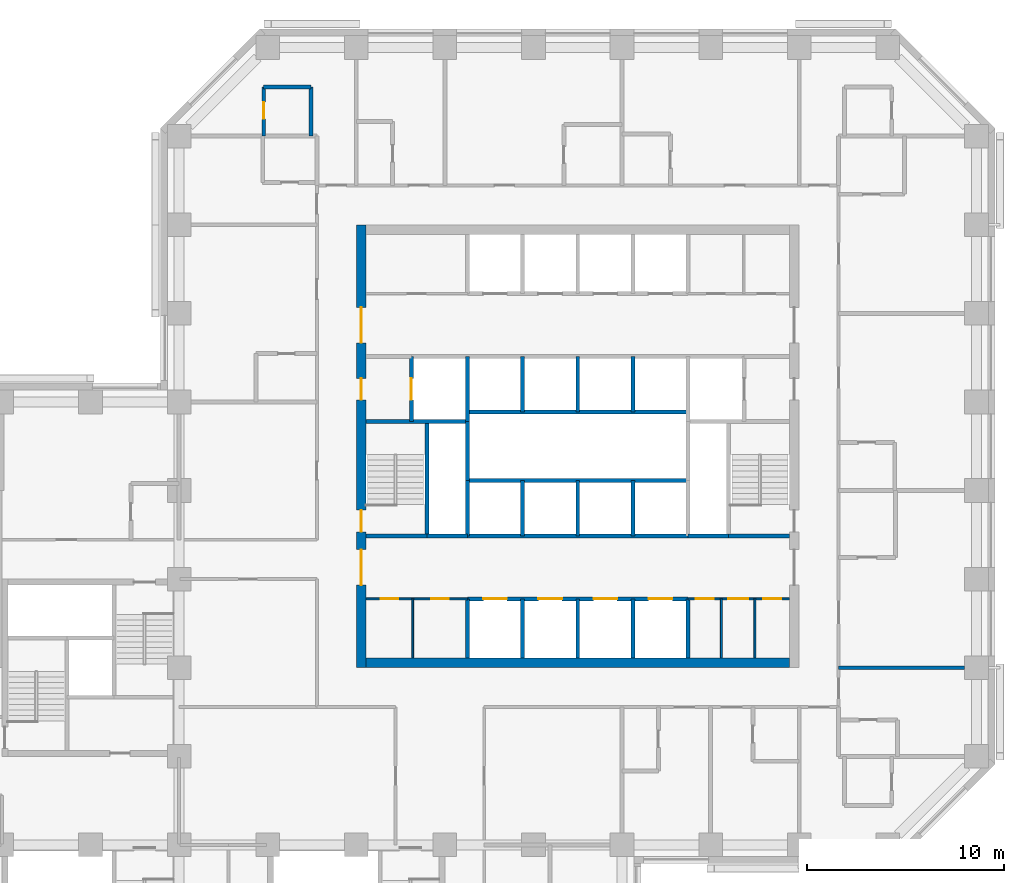
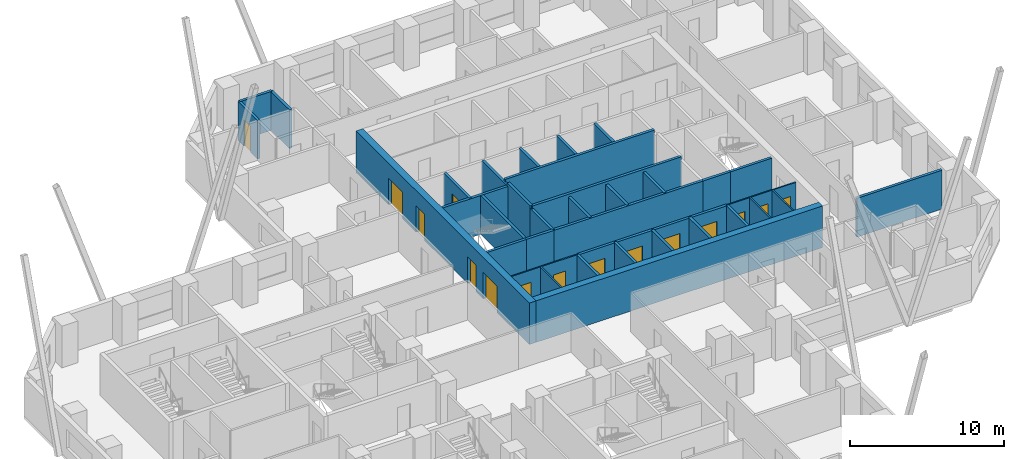
# One storey, part 8 of 13: 36 walls, 15 doors, 15 openings.
"""IFC4 building model written with IfcOpenShell, lengths in metres."""

from ifc_helpers import new_model, si_unit, direction, frame, frame_2d, origin, place, context, subcontext, project, spatial, rectangle, extrude, material, layer, layer_set, type_object, element, fill, save


model = new_model("IFC4")

# Units and contexts
model_context = context("Model", 3, precision=1e-05, world=origin(), true_north=direction((0.0, 1.0)))
body_context = subcontext(model_context, "Body", "Model", "MODEL_VIEW")
ifc_project = project(units=[si_unit("LENGTHUNIT", "METRE"), si_unit("AREAUNIT", "SQUARE_METRE"), si_unit("VOLUMEUNIT", "CUBIC_METRE"), si_unit("PLANEANGLEUNIT", "RADIAN"), si_unit("MASSUNIT", "GRAM", prefix="KILO")], contexts=[model_context])

# Site, building, storey
site_placement = place(None, origin())
site = spatial("IfcSite", under=ifc_project, at=site_placement, CompositionType="ELEMENT")
building_placement = place(site_placement, origin())
building = spatial("IfcBuilding", under=site, at=building_placement, Name="Quoin Convention Tower", CompositionType="ELEMENT")
storey_placement = place(building_placement, frame((0.0, 0.0, 26.39990234375)))
storey = spatial("IfcBuildingStorey", under=building, at=storey_placement, Name="L05", CompositionType="ELEMENT", Elevation=26.39990234375)

# Wall, openings, doors
ifc_material_1 = material(Name="Plasterboard")
ifc_layer_1 = layer(ifc_material_1, 0.012451171875, Name="Finish")
ifc_material_2 = material(Name="Steel stud framing", Category="steel")
ifc_layer_2 = layer(ifc_material_2, 0.074951171875, Name="Structure")
ifc_layer_3 = layer(ifc_material_1, 0.012451171875, Name="Finish")
ifc_layer_set_1 = layer_set([ifc_layer_1, ifc_layer_2, ifc_layer_3], Name="Steel stud framing")
wall_type_1 = type_object("IfcWallType", Name="Core partition wall", PredefinedType="PARTITIONING", material=ifc_layer_set_1)
wall_1_placement = place(storey_placement, frame((45.5, 53.0, 0.0), z_axis=(0.0, 0.0, 1.0), x_axis=(1.0, 0.0, 0.0)))
wall_1 = element("IfcWall", 1, at=wall_1_placement, inside=storey, type_object=wall_type_1, Name="cr-C1-L05-h3500_500", PredefinedType="PARTITIONING", context=body_context, shape_type="SweptSolid", body=[
    extrude(rectangle(XDim=5.14990234375, YDim=0.10009765625, at=frame_2d((2.574951171875, 0.0))), origin(), (0.0, 0.0, 1.0), 3.080078125),
])
opening_1_placement = place(wall_1_placement, frame((0.734619140625, 0.0, 0.0)))
opening_1 = element("IfcOpeningElement", 2, at=opening_1_placement, cuts=wall_1, Name="Opening DCV2-35", PredefinedType="OPENING", context=body_context, shape_type="SweptSolid", body=[
    extrude(rectangle(XDim=0.89990234375, YDim=2.10009765625, at=frame_2d((0.449951171875, 1.050048828125))), frame((0.0, 0.06005859375, 0.0), z_axis=(0.0, -1.0, 0.0), x_axis=(1.0, 0.0, 0.0)), (0.0, 0.0, 1.0), 0.1201171875),
])
opening_2_placement = place(wall_1_placement, frame((3.3095703125, 0.0, 0.0)))
opening_2 = element("IfcOpeningElement", 3, at=opening_2_placement, cuts=wall_1, Name="Opening DCV2-36", PredefinedType="OPENING", context=body_context, shape_type="SweptSolid", body=[
    extrude(rectangle(XDim=0.89990234375, YDim=2.10009765625, at=frame_2d((0.449951171875, 1.050048828125))), frame((0.0, 0.06005859375, 0.0), z_axis=(0.0, -1.0, 0.0), x_axis=(1.0, 0.0, 0.0)), (0.0, 0.0, 1.0), 0.1201171875),
])
ifc_material_3 = material(Name="Steel door leaf", Category="steel")
door_type_1 = type_object("IfcDoorType", Name="Core room door 900 x 2100", OperationType="SINGLE_SWING_LEFT", PredefinedType="DOOR", material=ifc_material_3)
door_1_placement = place(opening_1_placement, frame((0.89990234375, 0.0, 0.0), z_axis=(0.0, 0.0, 1.0), x_axis=(-1.0, 0.0, 0.0)))
door_1 = element("IfcDoor", 4, at=door_1_placement, inside=storey, type_object=door_type_1, Name="cd-C1-L05-CSW0-lobA-CD0513", OperationType="SINGLE_SWING_LEFT", OverallHeight=2.10009765625, OverallWidth=0.89990234375, PredefinedType="DOOR", context=body_context, shape_type="SweptSolid", body=[
    extrude(rectangle(XDim=0.89990234375, YDim=2.10009765625, at=frame_2d((0.449951171875, 1.050048828125))), frame((0.0, 0.02490234375, 0.0), z_axis=(0.0, -1.0, 0.0), x_axis=(1.0, 0.0, 0.0)), (0.0, 0.0, 1.0), 0.050048828125),
])
fill(opening_1, door_1)
door_2_placement = place(opening_2_placement, frame((0.89990234375, 0.0, 0.0), z_axis=(0.0, 0.0, 1.0), x_axis=(-1.0, 0.0, 0.0)))
door_2 = element("IfcDoor", 5, at=door_2_placement, inside=storey, type_object=door_type_1, Name="cd-C1-L05-CSW1-lobA-CD0514", OperationType="SINGLE_SWING_LEFT", OverallHeight=2.10009765625, OverallWidth=0.89990234375, PredefinedType="DOOR", context=body_context, shape_type="SweptSolid", body=[
    extrude(rectangle(XDim=0.89990234375, YDim=2.10009765625, at=frame_2d((0.449951171875, 1.050048828125))), frame((0.0, 0.02490234375, 0.0), z_axis=(0.0, -1.0, 0.0), x_axis=(1.0, 0.0, 0.0)), (0.0, 0.0, 1.0), 0.050048828125),
])
fill(opening_2, door_2)

wall_2_placement = place(storey_placement, frame((61.85009765625, 53.0, 0.0), z_axis=(0.0, 0.0, 1.0), x_axis=(1.0, 0.0, 0.0)))
wall_2 = element("IfcWall", 6, at=wall_2_placement, inside=storey, type_object=wall_type_1, Name="cr-C1-L05-h3500_16850", PredefinedType="PARTITIONING", context=body_context, shape_type="SweptSolid", body=[
    extrude(rectangle(XDim=5.14990234375, YDim=0.10009765625, at=frame_2d((2.574951171875, 0.0))), origin(), (0.0, 0.0, 1.0), 3.080078125),
])
opening_3_placement = place(wall_2_placement, frame((3.824462890625, 0.0, 0.0)))
opening_3 = element("IfcOpeningElement", 7, at=opening_3_placement, cuts=wall_2, Name="Opening DCV2-20", PredefinedType="OPENING", context=body_context, shape_type="SweptSolid", body=[
    extrude(rectangle(XDim=0.89990234375, YDim=2.10009765625, at=frame_2d((0.449951171875, 1.050048828125))), frame((0.0, 0.06005859375, 0.0), z_axis=(0.0, -1.0, 0.0), x_axis=(1.0, 0.0, 0.0)), (0.0, 0.0, 1.0), 0.1201171875),
])
opening_4_placement = place(wall_2_placement, frame((2.04931640625, 0.0, 0.0)))
opening_4 = element("IfcOpeningElement", 8, at=opening_4_placement, cuts=wall_2, Name="Opening DCV2-18", PredefinedType="OPENING", context=body_context, shape_type="SweptSolid", body=[
    extrude(rectangle(XDim=1.0, YDim=2.10009765625, at=frame_2d((0.5, 1.050048828125))), frame((0.0, 0.06005859375, 0.0), z_axis=(0.0, -1.0, 0.0), x_axis=(1.0, 0.0, 0.0)), (0.0, 0.0, 1.0), 0.1201171875),
])
opening_5_placement = place(wall_2_placement, frame((0.39990234375, 0.0, 0.0)))
opening_5 = element("IfcOpeningElement", 9, at=opening_5_placement, cuts=wall_2, Name="Opening DCV2-16", PredefinedType="OPENING", context=body_context, shape_type="SweptSolid", body=[
    extrude(rectangle(XDim=0.89990234375, YDim=2.10009765625, at=frame_2d((0.449951171875, 1.050048828125))), frame((0.0, 0.06005859375, 0.0), z_axis=(0.0, -1.0, 0.0), x_axis=(1.0, 0.0, 0.0)), (0.0, 0.0, 1.0), 0.1201171875),
])
door_type_2 = type_object("IfcDoorType", Name="Core room door 1000 x 2100", OperationType="SINGLE_SWING_LEFT", PredefinedType="DOOR", material=ifc_material_3)
door_3_placement = place(opening_4_placement, frame((1.0, 0.0, 0.0), z_axis=(0.0, 0.0, 1.0), x_axis=(-1.0, 0.0, 0.0)))
door_3 = element("IfcDoor", 10, at=door_3_placement, inside=storey, type_object=door_type_2, Name="cd-C1-L05-CSE1-lobA-CD0511", OperationType="SINGLE_SWING_LEFT", OverallHeight=2.10009765625, OverallWidth=1.0, PredefinedType="DOOR", context=body_context, shape_type="SweptSolid", body=[
    extrude(rectangle(XDim=1.0, YDim=2.10009765625, at=frame_2d((0.5, 1.050048828125))), frame((0.0, 0.02490234375, 0.0), z_axis=(0.0, -1.0, 0.0), x_axis=(1.0, 0.0, 0.0)), (0.0, 0.0, 1.0), 0.050048828125),
])
fill(opening_4, door_3)
door_4_placement = place(opening_3_placement, frame((0.89990234375, 0.0, 0.0), z_axis=(0.0, 0.0, 1.0), x_axis=(-1.0, 0.0, 0.0)))
door_4 = element("IfcDoor", 11, at=door_4_placement, inside=storey, type_object=door_type_1, Name="cd-C1-L05-CSE0-lobA-CD0510", OperationType="SINGLE_SWING_LEFT", OverallHeight=2.10009765625, OverallWidth=0.89990234375, PredefinedType="DOOR", context=body_context, shape_type="SweptSolid", body=[
    extrude(rectangle(XDim=0.89990234375, YDim=2.10009765625, at=frame_2d((0.449951171875, 1.050048828125))), frame((0.0, 0.02490234375, 0.0), z_axis=(0.0, -1.0, 0.0), x_axis=(1.0, 0.0, 0.0)), (0.0, 0.0, 1.0), 0.050048828125),
])
fill(opening_3, door_4)
door_5_placement = place(opening_5_placement, frame((0.89990234375, 0.0, 0.0), z_axis=(0.0, 0.0, 1.0), x_axis=(-1.0, 0.0, 0.0)))
door_5 = element("IfcDoor", 12, at=door_5_placement, inside=storey, type_object=door_type_1, Name="cd-C1-L05-CSE2-lobA-CD0512", OperationType="SINGLE_SWING_LEFT", OverallHeight=2.10009765625, OverallWidth=0.89990234375, PredefinedType="DOOR", context=body_context, shape_type="SweptSolid", body=[
    extrude(rectangle(XDim=0.89990234375, YDim=2.10009765625, at=frame_2d((0.449951171875, 1.050048828125))), frame((0.0, 0.02490234375, 0.0), z_axis=(0.0, -1.0, 0.0), x_axis=(1.0, 0.0, 0.0)), (0.0, 0.0, 1.0), 0.050048828125),
])
fill(opening_5, door_5)

# Walls
for number, where, z_axis, x_axis, name in (
    (13, (47.868896484375, 50.0, 0.0), (0.0, 0.0, 1.0), (0.0, 1.0, 0.0), "cr-C1-L05-v2869_500"),
    (14, (63.549560546875, 50.0, 0.0), (0.0, 0.0, 1.0), (0.0, 1.0, 0.0), "cr-C1-L05-v18550_500"),
    (15, (65.2490234375, 50.0, 0.0), (0.0, 0.0, 1.0), (0.0, 1.0, 0.0), "cr-C1-L05-v20249_500"),
):
    element("IfcWall", number, at=place(storey_placement, frame(where, z_axis=z_axis, x_axis=x_axis)), inside=storey, type_object=wall_type_1, Name=name, PredefinedType="PARTITIONING", context=body_context, shape_type="SweptSolid", body=[
        extrude(rectangle(XDim=3.0, YDim=0.10009765625, at=frame_2d((1.5, 0.0))), origin(), (0.0, 0.0, 1.0), 3.080078125),
    ])

# Wall, openings, doors
ifc_material_4 = material(Name="Concrete C50", Category="concrete")
ifc_layer_4 = layer(ifc_material_4, 0.199951171875)
ifc_layer_set_2 = layer_set([ifc_layer_4], Name="Concrete C50")
wall_type_2 = type_object("IfcWallType", Name="Core shaft wall", PredefinedType="SOLIDWALL", material=ifc_layer_set_2)
wall_3_placement = place(storey_placement, frame((50.64990234375, 53.0, 0.0), z_axis=(0.0, 0.0, 1.0), x_axis=(1.0, 0.0, 0.0)))
wall_3 = element("IfcWall", 16, at=wall_3_placement, inside=storey, type_object=wall_type_2, Name="cr-C1-L05-h3500_5650", PredefinedType="SOLIDWALL", context=body_context, shape_type="SweptSolid", body=[
    extrude(rectangle(XDim=11.2001953125, YDim=0.199951171875, at=frame_2d((5.60009765625, 0.0))), origin(), (0.0, 0.0, 1.0), 3.080078125),
])
opening_6_placement = place(wall_3_placement, frame((0.800048828125, 0.0, 0.0)))
opening_6 = element("IfcOpeningElement", 17, at=opening_6_placement, cuts=wall_3, Name="Opening LDL1", PredefinedType="OPENING", context=body_context, shape_type="SweptSolid", body=[
    extrude(rectangle(XDim=1.199951171875, YDim=2.10009765625, at=frame_2d((0.60009765625, 1.050048828125))), frame((0.0, 0.10986328125, 0.0), z_axis=(0.0, -1.0, 0.0), x_axis=(1.0, 0.0, 0.0)), (0.0, 0.0, 1.0), 0.219970703125),
])
opening_7_placement = place(wall_3_placement, frame((3.60009765625, 0.0, 0.0)))
opening_7 = element("IfcOpeningElement", 18, at=opening_7_placement, cuts=wall_3, Name="Opening LDL2", PredefinedType="OPENING", context=body_context, shape_type="SweptSolid", body=[
    extrude(rectangle(XDim=1.199951171875, YDim=2.10009765625, at=frame_2d((0.60009765625, 1.050048828125))), frame((0.0, 0.10986328125, 0.0), z_axis=(0.0, -1.0, 0.0), x_axis=(1.0, 0.0, 0.0)), (0.0, 0.0, 1.0), 0.219970703125),
])
opening_8_placement = place(wall_3_placement, frame((6.39990234375, 0.0, 0.0)))
opening_8 = element("IfcOpeningElement", 19, at=opening_8_placement, cuts=wall_3, Name="Opening LDL3", PredefinedType="OPENING", context=body_context, shape_type="SweptSolid", body=[
    extrude(rectangle(XDim=1.199951171875, YDim=2.10009765625, at=frame_2d((0.60009765625, 1.050048828125))), frame((0.0, 0.10986328125, 0.0), z_axis=(0.0, -1.0, 0.0), x_axis=(1.0, 0.0, 0.0)), (0.0, 0.0, 1.0), 0.219970703125),
])
opening_9_placement = place(wall_3_placement, frame((9.199951171875, 0.0, 0.0)))
opening_9 = element("IfcOpeningElement", 20, at=opening_9_placement, cuts=wall_3, Name="Opening LDL4", PredefinedType="OPENING", context=body_context, shape_type="SweptSolid", body=[
    extrude(rectangle(XDim=1.199951171875, YDim=2.10009765625, at=frame_2d((0.60009765625, 1.050048828125))), frame((0.0, 0.10986328125, 0.0), z_axis=(0.0, -1.0, 0.0), x_axis=(1.0, 0.0, 0.0)), (0.0, 0.0, 1.0), 0.219970703125),
])
door_type_3 = type_object("IfcDoorType", Name="Lift landing door 1200 x 2100", OperationType="DOUBLE_DOOR_SLIDING", PredefinedType="DOOR", material=ifc_material_3)
door_6_placement = place(opening_6_placement, origin())
door_6 = element("IfcDoor", 21, at=door_6_placement, inside=storey, type_object=door_type_3, Name="cd-C1-L05-R10-lobA-LDL1", OperationType="DOUBLE_DOOR_SLIDING", OverallHeight=2.10009765625, OverallWidth=1.199951171875, PredefinedType="DOOR", context=body_context, shape_type="SweptSolid", body=[
    extrude(rectangle(XDim=1.199951171875, YDim=2.10009765625, at=frame_2d((0.60009765625, 1.050048828125))), frame((0.0, 0.02490234375, 0.0), z_axis=(0.0, -1.0, 0.0), x_axis=(1.0, 0.0, 0.0)), (0.0, 0.0, 1.0), 0.050048828125),
])
fill(opening_6, door_6)
door_7_placement = place(opening_7_placement, origin())
door_7 = element("IfcDoor", 22, at=door_7_placement, inside=storey, type_object=door_type_3, Name="cd-C1-L05-R11-lobA-LDL2", OperationType="DOUBLE_DOOR_SLIDING", OverallHeight=2.10009765625, OverallWidth=1.199951171875, PredefinedType="DOOR", context=body_context, shape_type="SweptSolid", body=[
    extrude(rectangle(XDim=1.199951171875, YDim=2.10009765625, at=frame_2d((0.60009765625, 1.050048828125))), frame((0.0, 0.02490234375, 0.0), z_axis=(0.0, -1.0, 0.0), x_axis=(1.0, 0.0, 0.0)), (0.0, 0.0, 1.0), 0.050048828125),
])
fill(opening_7, door_7)
door_8_placement = place(opening_8_placement, origin())
door_8 = element("IfcDoor", 23, at=door_8_placement, inside=storey, type_object=door_type_3, Name="cd-C1-L05-R12-lobA-LDL3", OperationType="DOUBLE_DOOR_SLIDING", OverallHeight=2.10009765625, OverallWidth=1.199951171875, PredefinedType="DOOR", context=body_context, shape_type="SweptSolid", body=[
    extrude(rectangle(XDim=1.199951171875, YDim=2.10009765625, at=frame_2d((0.60009765625, 1.050048828125))), frame((0.0, 0.02490234375, 0.0), z_axis=(0.0, -1.0, 0.0), x_axis=(1.0, 0.0, 0.0)), (0.0, 0.0, 1.0), 0.050048828125),
])
fill(opening_8, door_8)
door_9_placement = place(opening_9_placement, origin())
door_9 = element("IfcDoor", 24, at=door_9_placement, inside=storey, type_object=door_type_3, Name="cd-C1-L05-R13-lobA-LDL4", OperationType="DOUBLE_DOOR_SLIDING", OverallHeight=2.10009765625, OverallWidth=1.199951171875, PredefinedType="DOOR", context=body_context, shape_type="SweptSolid", body=[
    extrude(rectangle(XDim=1.199951171875, YDim=2.10009765625, at=frame_2d((0.60009765625, 1.050048828125))), frame((0.0, 0.02490234375, 0.0), z_axis=(0.0, -1.0, 0.0), x_axis=(1.0, 0.0, 0.0)), (0.0, 0.0, 1.0), 0.050048828125),
])
fill(opening_9, door_9)

# Walls
for number, where, z_axis, x_axis, name in (
    (25, (48.60009765625, 56.199951171875, 0.0), (0.0, 0.0, 1.0), (1.0, 0.0, 0.0), "cr-C1-L05-h6700_3600"),
    (26, (61.85009765625, 56.199951171875, 0.0), (0.0, 0.0, 1.0), (1.0, 0.0, 0.0), "cr-C1-L05-h6700_16850"),
):
    element("IfcWall", number, at=place(storey_placement, frame(where, z_axis=z_axis, x_axis=x_axis)), inside=storey, type_object=wall_type_2, Name=name, PredefinedType="SOLIDWALL", context=body_context, shape_type="SweptSolid", body=[
        extrude(rectangle(XDim=2.0498046875, YDim=0.199951171875, at=frame_2d((1.02490234375, 0.0))), origin(), (0.0, 0.0, 1.0), 3.080078125),
    ])
wall_4_placement = place(storey_placement, frame((45.5, 56.199951171875, 0.0), z_axis=(0.0, 0.0, 1.0), x_axis=(1.0, 0.0, 0.0)))
element("IfcWall", 27, at=wall_4_placement, inside=storey, type_object=wall_type_2, Name="cr-C1-L05-h6700_500", PredefinedType="SOLIDWALL", context=body_context, shape_type="SweptSolid", body=[
    extrude(rectangle(XDim=3.10009765625, YDim=0.199951171875, at=frame_2d((1.550048828125, 0.0))), origin(), (0.0, 0.0, 1.0), 3.080078125),
])
wall_5_placement = place(storey_placement, frame((50.64990234375, 56.199951171875, 0.0), z_axis=(0.0, 0.0, 1.0), x_axis=(1.0, 0.0, 0.0)))
element("IfcWall", 28, at=wall_5_placement, inside=storey, type_object=wall_type_2, Name="cr-C1-L05-h6700_5650", PredefinedType="SOLIDWALL", context=body_context, shape_type="SweptSolid", body=[
    extrude(rectangle(XDim=11.2001953125, YDim=0.199951171875, at=frame_2d((5.60009765625, 0.0))), origin(), (0.0, 0.0, 1.0), 3.080078125),
])
wall_6_placement = place(storey_placement, frame((63.89990234375, 56.199951171875, 0.0), z_axis=(0.0, 0.0, 1.0), x_axis=(1.0, 0.0, 0.0)))
element("IfcWall", 29, at=wall_6_placement, inside=storey, type_object=wall_type_2, Name="cr-C1-L05-h6700_18900", PredefinedType="SOLIDWALL", context=body_context, shape_type="SweptSolid", body=[
    extrude(rectangle(XDim=3.10009765625, YDim=0.199951171875, at=frame_2d((1.550048828125, 0.0))), origin(), (0.0, 0.0, 1.0), 3.080078125),
])
wall_7_placement = place(storey_placement, frame((45.5, 62.0, 0.0), z_axis=(0.0, 0.0, 1.0), x_axis=(1.0, 0.0, 0.0)))
element("IfcWall", 30, at=wall_7_placement, inside=storey, type_object=wall_type_2, Name="cr-C1-L05-h12500_500", PredefinedType="SOLIDWALL", context=body_context, shape_type="SweptSolid", body=[
    extrude(rectangle(XDim=5.14990234375, YDim=0.199951171875, at=frame_2d((2.574951171875, 0.0))), origin(), (0.0, 0.0, 1.0), 3.080078125),
])

# Wall, opening, door
wall_8_placement = place(storey_placement, frame((47.800048828125, 62.0, 0.0), z_axis=(0.0, 0.0, 1.0), x_axis=(0.0, 1.0, 0.0)))
wall_8 = element("IfcWall", 31, at=wall_8_placement, inside=storey, type_object=wall_type_2, Name="cr-C1-L05-v2800_12500", PredefinedType="SOLIDWALL", context=body_context, shape_type="SweptSolid", body=[
    extrude(rectangle(XDim=3.300048828125, YDim=0.199951171875, at=frame_2d((1.64990234375, 0.0))), origin(), (0.0, 0.0, 1.0), 3.080078125),
])
opening_10_placement = place(wall_8_placement, frame((1.10009765625, 0.0, 0.0)))
opening_10 = element("IfcOpeningElement", 32, at=opening_10_placement, cuts=wall_8, Name="Opening LDFL1", PredefinedType="OPENING", context=body_context, shape_type="SweptSolid", body=[
    extrude(rectangle(XDim=1.10009765625, YDim=2.10009765625, at=frame_2d((0.550048828125, 1.050048828125))), frame((0.0, 0.10986328125, 0.0), z_axis=(0.0, -1.0, 0.0), x_axis=(1.0, 0.0, 0.0)), (0.0, 0.0, 1.0), 0.219970703125),
])
door_type_4 = type_object("IfcDoorType", Name="Lift landing door 1100 x 2100", OperationType="DOUBLE_DOOR_SLIDING", PredefinedType="DOOR", material=ifc_material_3)
door_10_placement = place(opening_10_placement, origin())
door_10 = element("IfcDoor", 33, at=door_10_placement, inside=storey, type_object=door_type_4, Name="cd-C1-L05-FLW-FFW-LDFL1", OperationType="DOUBLE_DOOR_SLIDING", OverallHeight=2.10009765625, OverallWidth=1.10009765625, PredefinedType="DOOR", context=body_context, shape_type="SweptSolid", body=[
    extrude(rectangle(XDim=1.10009765625, YDim=2.10009765625, at=frame_2d((0.550048828125, 1.050048828125))), frame((0.0, 0.02490234375, 0.0), z_axis=(0.0, -1.0, 0.0), x_axis=(1.0, 0.0, 0.0)), (0.0, 0.0, 1.0), 0.050048828125),
])
fill(opening_10, door_10)

# Walls
wall_9_placement = place(storey_placement, frame((48.60009765625, 56.199951171875, 0.0), z_axis=(0.0, 0.0, 1.0), x_axis=(0.0, 1.0, 0.0)))
element("IfcWall", 34, at=wall_9_placement, inside=storey, type_object=wall_type_2, Name="cr-C1-L05-v3600_6700", PredefinedType="SOLIDWALL", context=body_context, shape_type="SweptSolid", body=[
    extrude(rectangle(XDim=5.800048828125, YDim=0.199951171875, at=frame_2d((2.89990234375, 0.0))), origin(), (0.0, 0.0, 1.0), 3.080078125),
])
wall_10_placement = place(storey_placement, frame((50.64990234375, 50.0, 0.0), z_axis=(0.0, 0.0, 1.0), x_axis=(0.0, 1.0, 0.0)))
element("IfcWall", 35, at=wall_10_placement, inside=storey, type_object=wall_type_2, Name="cr-C1-L05-v5650_500", PredefinedType="SOLIDWALL", context=body_context, shape_type="SweptSolid", body=[
    extrude(rectangle(XDim=3.0, YDim=0.199951171875, at=frame_2d((1.5, 0.0))), origin(), (0.0, 0.0, 1.0), 3.080078125),
])
wall_11_placement = place(storey_placement, frame((50.64990234375, 56.199951171875, 0.0), z_axis=(0.0, 0.0, 1.0), x_axis=(0.0, 1.0, 0.0)))
element("IfcWall", 36, at=wall_11_placement, inside=storey, type_object=wall_type_2, Name="cr-C1-L05-v5650_6700", PredefinedType="SOLIDWALL", context=body_context, shape_type="SweptSolid", body=[
    extrude(rectangle(XDim=2.800048828125, YDim=0.199951171875, at=frame_2d((1.39990234375, 0.0))), origin(), (0.0, 0.0, 1.0), 3.080078125),
])
wall_12_placement = place(storey_placement, frame((50.64990234375, 62.0, 0.0), z_axis=(0.0, 0.0, 1.0), x_axis=(0.0, 1.0, 0.0)))
element("IfcWall", 37, at=wall_12_placement, inside=storey, type_object=wall_type_2, Name="cr-C1-L05-v5650_12500", PredefinedType="SOLIDWALL", context=body_context, shape_type="SweptSolid", body=[
    extrude(rectangle(XDim=3.300048828125, YDim=0.199951171875, at=frame_2d((1.64990234375, 0.0))), origin(), (0.0, 0.0, 1.0), 3.080078125),
])
wall_13_placement = place(storey_placement, frame((53.449951171875, 50.0, 0.0), z_axis=(0.0, 0.0, 1.0), x_axis=(0.0, 1.0, 0.0)))
element("IfcWall", 38, at=wall_13_placement, inside=storey, type_object=wall_type_2, Name="cr-C1-L05-v8450_500", PredefinedType="SOLIDWALL", context=body_context, shape_type="SweptSolid", body=[
    extrude(rectangle(XDim=3.0, YDim=0.199951171875, at=frame_2d((1.5, 0.0))), origin(), (0.0, 0.0, 1.0), 3.080078125),
])
for number, where, z_axis, x_axis, name in (
    (39, (53.449951171875, 56.199951171875, 0.0), (0.0, 0.0, 1.0), (0.0, 1.0, 0.0), "cr-C1-L05-v8450_6700"),
    (40, (53.449951171875, 62.5, 0.0), (0.0, 0.0, 1.0), (0.0, 1.0, 0.0), "cr-C1-L05-v8450_13000"),
):
    element("IfcWall", number, at=place(storey_placement, frame(where, z_axis=z_axis, x_axis=x_axis)), inside=storey, type_object=wall_type_2, Name=name, PredefinedType="SOLIDWALL", context=body_context, shape_type="SweptSolid", body=[
        extrude(rectangle(XDim=2.800048828125, YDim=0.199951171875, at=frame_2d((1.39990234375, 0.0))), origin(), (0.0, 0.0, 1.0), 3.080078125),
    ])
wall_14_placement = place(storey_placement, frame((56.25, 50.0, 0.0), z_axis=(0.0, 0.0, 1.0), x_axis=(0.0, 1.0, 0.0)))
element("IfcWall", 41, at=wall_14_placement, inside=storey, type_object=wall_type_2, Name="cr-C1-L05-v11250_500", PredefinedType="SOLIDWALL", context=body_context, shape_type="SweptSolid", body=[
    extrude(rectangle(XDim=3.0, YDim=0.199951171875, at=frame_2d((1.5, 0.0))), origin(), (0.0, 0.0, 1.0), 3.080078125),
])
for number, where, z_axis, x_axis, name in (
    (42, (56.25, 56.199951171875, 0.0), (0.0, 0.0, 1.0), (0.0, 1.0, 0.0), "cr-C1-L05-v11250_6700"),
    (43, (56.25, 62.5, 0.0), (0.0, 0.0, 1.0), (0.0, 1.0, 0.0), "cr-C1-L05-v11250_13000"),
):
    element("IfcWall", number, at=place(storey_placement, frame(where, z_axis=z_axis, x_axis=x_axis)), inside=storey, type_object=wall_type_2, Name=name, PredefinedType="SOLIDWALL", context=body_context, shape_type="SweptSolid", body=[
        extrude(rectangle(XDim=2.800048828125, YDim=0.199951171875, at=frame_2d((1.39990234375, 0.0))), origin(), (0.0, 0.0, 1.0), 3.080078125),
    ])
wall_15_placement = place(storey_placement, frame((59.050048828125, 50.0, 0.0), z_axis=(0.0, 0.0, 1.0), x_axis=(0.0, 1.0, 0.0)))
element("IfcWall", 44, at=wall_15_placement, inside=storey, type_object=wall_type_2, Name="cr-C1-L05-v14050_500", PredefinedType="SOLIDWALL", context=body_context, shape_type="SweptSolid", body=[
    extrude(rectangle(XDim=3.0, YDim=0.199951171875, at=frame_2d((1.5, 0.0))), origin(), (0.0, 0.0, 1.0), 3.080078125),
])
for number, where, z_axis, x_axis, name in (
    (45, (59.050048828125, 56.199951171875, 0.0), (0.0, 0.0, 1.0), (0.0, 1.0, 0.0), "cr-C1-L05-v14050_6700"),
    (46, (59.050048828125, 62.5, 0.0), (0.0, 0.0, 1.0), (0.0, 1.0, 0.0), "cr-C1-L05-v14050_13000"),
):
    element("IfcWall", number, at=place(storey_placement, frame(where, z_axis=z_axis, x_axis=x_axis)), inside=storey, type_object=wall_type_2, Name=name, PredefinedType="SOLIDWALL", context=body_context, shape_type="SweptSolid", body=[
        extrude(rectangle(XDim=2.800048828125, YDim=0.199951171875, at=frame_2d((1.39990234375, 0.0))), origin(), (0.0, 0.0, 1.0), 3.080078125),
    ])
wall_16_placement = place(storey_placement, frame((61.85009765625, 50.0, 0.0), z_axis=(0.0, 0.0, 1.0), x_axis=(0.0, 1.0, 0.0)))
element("IfcWall", 47, at=wall_16_placement, inside=storey, type_object=wall_type_2, Name="cr-C1-L05-v16850_500", PredefinedType="SOLIDWALL", context=body_context, shape_type="SweptSolid", body=[
    extrude(rectangle(XDim=3.0, YDim=0.199951171875, at=frame_2d((1.5, 0.0))), origin(), (0.0, 0.0, 1.0), 3.080078125),
])
ifc_layer_5 = layer(ifc_material_4, 0.199951171875)
ifc_layer_set_3 = layer_set([ifc_layer_5], Name="Concrete C50")
wall_type_3 = type_object("IfcWallType", Name="Core shaft wall to the floor level over", PredefinedType="SOLIDWALL", material=ifc_layer_set_3)
for number, where, z_axis, x_axis, name in (
    (48, (50.64990234375, 59.0, 0.0), (0.0, 0.0, 1.0), (1.0, 0.0, 0.0), "cr-C1-L05-h9500_5650"),
    (49, (50.64990234375, 62.5, 0.0), (0.0, 0.0, 1.0), (1.0, 0.0, 0.0), "cr-C1-L05-h13000_5650"),
):
    element("IfcWall", number, at=place(storey_placement, frame(where, z_axis=z_axis, x_axis=x_axis)), inside=storey, type_object=wall_type_3, Name=name, PredefinedType="SOLIDWALL", context=body_context, shape_type="SweptSolid", body=[
        extrude(rectangle(XDim=11.2001953125, YDim=0.199951171875, at=frame_2d((5.60009765625, 0.0))), origin(), (0.0, 0.0, 1.0), 3.300048828125),
    ])
wall_17_placement = place(storey_placement, frame((50.64990234375, 59.0, 0.0), z_axis=(0.0, 0.0, 1.0), x_axis=(0.0, 1.0, 0.0)))
element("IfcWall", 50, at=wall_17_placement, inside=storey, type_object=wall_type_3, Name="cr-C1-L05-v5650_9500", PredefinedType="SOLIDWALL", context=body_context, shape_type="SweptSolid", body=[
    extrude(rectangle(XDim=3.0, YDim=0.199951171875, at=frame_2d((1.5, 0.0))), origin(), (0.0, 0.0, 1.0), 3.300048828125),
])
ifc_material_5 = material(Name="Concrete C80", Category="concrete")
ifc_layer_6 = layer(ifc_material_5, 0.5)
ifc_layer_set_4 = layer_set([ifc_layer_6], Name="Concrete C80")
wall_type_4 = type_object("IfcWallType", Name="RC CORE WALL 500 C80", PredefinedType="SHEAR", material=ifc_layer_set_4)
wall_18_placement = place(storey_placement, frame((45.5, 49.75, 0.0), z_axis=(0.0, 0.0, 1.0), x_axis=(1.0, 0.0, 0.0)))
element("IfcWall", 51, at=wall_18_placement, inside=storey, type_object=wall_type_4, Name="cwl-C1-L05-S", PredefinedType="SHEAR", context=body_context, shape_type="SweptSolid", body=[
    extrude(rectangle(XDim=21.5, YDim=0.5, at=frame_2d((10.75, 0.0))), origin(), (0.0, 0.0, 1.0), 3.300048828125),
])

# Wall, openings, doors
wall_19_placement = place(storey_placement, frame((45.25, 49.5, 0.0), z_axis=(0.0, 0.0, 1.0), x_axis=(0.0, 1.0, 0.0)))
wall_19 = element("IfcWall", 52, at=wall_19_placement, inside=storey, type_object=wall_type_4, Name="cwl-C1-L05-W", PredefinedType="SHEAR", context=body_context, shape_type="SweptSolid", body=[
    extrude(rectangle(XDim=22.5, YDim=0.5, at=frame_2d((11.25, 0.0))), origin(), (0.0, 0.0, 1.0), 3.300048828125),
])
opening_11_placement = place(wall_19_placement, frame((4.199951171875, 0.0, 0.0)))
opening_11 = element("IfcOpeningElement", 53, at=opening_11_placement, cuts=wall_19, Name="Opening DCV2-40", PredefinedType="OPENING", context=body_context, shape_type="SweptSolid", body=[
    extrude(rectangle(XDim=1.800048828125, YDim=2.10009765625, at=frame_2d((0.89990234375, 1.050048828125))), frame((0.0, 0.260009765625, 0.0), z_axis=(0.0, -1.0, 0.0), x_axis=(1.0, 0.0, 0.0)), (0.0, 0.0, 1.0), 0.52001953125),
])
opening_12_placement = place(wall_19_placement, frame((6.89990234375, 0.0, 0.0)))
opening_12 = element("IfcOpeningElement", 54, at=opening_12_placement, cuts=wall_19, Name="Opening SD1", PredefinedType="OPENING", context=body_context, shape_type="SweptSolid", body=[
    extrude(rectangle(XDim=1.10009765625, YDim=2.10009765625, at=frame_2d((0.550048828125, 1.050048828125))), frame((0.0, 0.260009765625, 0.0), z_axis=(0.0, -1.0, 0.0), x_axis=(1.0, 0.0, 0.0)), (0.0, 0.0, 1.0), 0.52001953125),
])
opening_13_placement = place(wall_19_placement, frame((13.60009765625, 0.0, 0.0)))
opening_13 = element("IfcOpeningElement", 55, at=opening_13_placement, cuts=wall_19, Name="Opening DCV2-39", PredefinedType="OPENING", context=body_context, shape_type="SweptSolid", body=[
    extrude(rectangle(XDim=1.10009765625, YDim=2.10009765625, at=frame_2d((0.550048828125, 1.050048828125))), frame((0.0, 0.260009765625, 0.0), z_axis=(0.0, -1.0, 0.0), x_axis=(1.0, 0.0, 0.0)), (0.0, 0.0, 1.0), 0.52001953125),
])
opening_14_placement = place(wall_19_placement, frame((16.5, 0.0, 0.0)))
opening_14 = element("IfcOpeningElement", 56, at=opening_14_placement, cuts=wall_19, Name="Opening DCV2-40", PredefinedType="OPENING", context=body_context, shape_type="SweptSolid", body=[
    extrude(rectangle(XDim=1.800048828125, YDim=2.10009765625, at=frame_2d((0.89990234375, 1.050048828125))), frame((0.0, 0.260009765625, 0.0), z_axis=(0.0, -1.0, 0.0), x_axis=(1.0, 0.0, 0.0)), (0.0, 0.0, 1.0), 0.52001953125),
])
door_type_5 = type_object("IfcDoorType", Name="Fire-fighting lobby door 1100 x 2100", OperationType="SINGLE_SWING_LEFT", PredefinedType="DOOR", material=ifc_material_3)
door_11_placement = place(opening_13_placement, frame((1.10009765625, 0.0, 0.0), z_axis=(0.0, 0.0, 1.0), x_axis=(-1.0, 0.0, 0.0)))
door_11 = element("IfcDoor", 57, at=door_11_placement, inside=storey, type_object=door_type_5, Name="cd-C1-L05-FFW-W", OperationType="SINGLE_SWING_LEFT", OverallHeight=2.10009765625, OverallWidth=1.10009765625, PredefinedType="DOOR", context=body_context, shape_type="SweptSolid", body=[
    extrude(rectangle(XDim=1.10009765625, YDim=2.10009765625, at=frame_2d((0.550048828125, 1.050048828125))), frame((0.0, 0.02490234375, 0.0), z_axis=(0.0, -1.0, 0.0), x_axis=(1.0, 0.0, 0.0)), (0.0, 0.0, 1.0), 0.050048828125),
])
fill(opening_13, door_11)
door_type_6 = type_object("IfcDoorType", Name="Lift lobby door 1800 x 2100", OperationType="SINGLE_SWING_LEFT", PredefinedType="DOOR", material=ifc_material_3)
door_12_placement = place(opening_11_placement, frame((1.800048828125, 0.0, 0.0), z_axis=(0.0, 0.0, 1.0), x_axis=(-1.0, 0.0, 0.0)))
door_12 = element("IfcDoor", 58, at=door_12_placement, inside=storey, type_object=door_type_6, Name="cd-C1-L05-lobA-W", OperationType="SINGLE_SWING_LEFT", OverallHeight=2.10009765625, OverallWidth=1.800048828125, PredefinedType="DOOR", context=body_context, shape_type="SweptSolid", body=[
    extrude(rectangle(XDim=1.800048828125, YDim=2.10009765625, at=frame_2d((0.89990234375, 1.050048828125))), frame((0.0, 0.02490234375, 0.0), z_axis=(0.0, -1.0, 0.0), x_axis=(1.0, 0.0, 0.0)), (0.0, 0.0, 1.0), 0.050048828125),
])
fill(opening_11, door_12)
door_13_placement = place(opening_14_placement, frame((1.800048828125, 0.0, 0.0), z_axis=(0.0, 0.0, 1.0), x_axis=(-1.0, 0.0, 0.0)))
door_13 = element("IfcDoor", 59, at=door_13_placement, inside=storey, type_object=door_type_6, Name="cd-C1-L05-lobB-W", OperationType="SINGLE_SWING_LEFT", OverallHeight=2.10009765625, OverallWidth=1.800048828125, PredefinedType="DOOR", context=body_context, shape_type="SweptSolid", body=[
    extrude(rectangle(XDim=1.800048828125, YDim=2.10009765625, at=frame_2d((0.89990234375, 1.050048828125))), frame((0.0, 0.02490234375, 0.0), z_axis=(0.0, -1.0, 0.0), x_axis=(1.0, 0.0, 0.0)), (0.0, 0.0, 1.0), 0.050048828125),
])
fill(opening_14, door_13)
door_type_7 = type_object("IfcDoorType", Name="Stair door 1100 x 2100", OperationType="SINGLE_SWING_RIGHT", PredefinedType="DOOR", material=ifc_material_3)
door_14_placement = place(opening_12_placement, frame((1.10009765625, 0.0, 0.0), z_axis=(0.0, 0.0, 1.0), x_axis=(-1.0, 0.0, 0.0)))
door_14 = element("IfcDoor", 60, at=door_14_placement, inside=storey, type_object=door_type_7, Name="cd-C1-L05-STW-W", OperationType="SINGLE_SWING_RIGHT", OverallHeight=2.10009765625, OverallWidth=1.10009765625, PredefinedType="DOOR", context=body_context, shape_type="SweptSolid", body=[
    extrude(rectangle(XDim=1.10009765625, YDim=2.10009765625, at=frame_2d((0.550048828125, 1.050048828125))), frame((0.0, 0.02490234375, 0.0), z_axis=(0.0, -1.0, 0.0), x_axis=(1.0, 0.0, 0.0)), (0.0, 0.0, 1.0), 0.050048828125),
])
fill(opening_12, door_14)

# Wall
ifc_layer_7 = layer(ifc_material_4, 0.199951171875)
ifc_layer_set_5 = layer_set([ifc_layer_7], Name="Concrete C50")
wall_type_5 = type_object("IfcWallType", Name="RC party wall", PredefinedType="SOLIDWALL", material=ifc_layer_set_5)
wall_20_placement = place(storey_placement, frame((69.5, 49.5, 0.0), z_axis=(0.0, 0.0, 1.0), x_axis=(1.0, 0.0, 0.0)))
element("IfcWall", 61, at=wall_20_placement, inside=storey, type_object=wall_type_5, Name="pw-L05-093", PredefinedType="SOLIDWALL", context=body_context, shape_type="SweptSolid", body=[
    extrude(rectangle(XDim=6.39990234375, YDim=0.199951171875, at=frame_2d((3.199951171875, 0.0))), origin(), (0.0, 0.0, 1.0), 3.080078125),
])

# Wall, opening, door
wall_21_placement = place(storey_placement, frame((40.300048828125, 76.5, 0.0), z_axis=(0.0, 0.0, 1.0), x_axis=(0.0, 1.0, 0.0)))
wall_21 = element("IfcWall", 62, at=wall_21_placement, inside=storey, type_object=wall_type_5, Name="pw-L05-133", PredefinedType="SOLIDWALL", context=body_context, shape_type="SweptSolid", body=[
    extrude(rectangle(XDim=2.5, YDim=0.199951171875, at=frame_2d((1.25, 0.0))), origin(), (0.0, 0.0, 1.0), 3.080078125),
])
opening_15_placement = place(wall_21_placement, frame((0.875, 0.0, 0.0)))
opening_15 = element("IfcOpeningElement", 63, at=opening_15_placement, cuts=wall_21, Name="Opening DHOTEL-A-65", PredefinedType="OPENING", context=body_context, shape_type="SweptSolid", body=[
    extrude(rectangle(XDim=0.85009765625, YDim=2.10009765625, at=frame_2d((0.425048828125, 1.050048828125))), frame((0.0, 0.10986328125, 0.0), z_axis=(0.0, -1.0, 0.0), x_axis=(1.0, 0.0, 0.0)), (0.0, 0.0, 1.0), 0.219970703125),
])
door_type_8 = type_object("IfcDoorType", Name="Bathroom door", OperationType="SINGLE_SWING_LEFT", PredefinedType="DOOR", material=ifc_material_3)
door_15_placement = place(opening_15_placement, origin())
door_15 = element("IfcDoor", 64, at=door_15_placement, inside=storey, type_object=door_type_8, Name="dr-L05-060", OperationType="SINGLE_SWING_RIGHT", OverallHeight=2.10009765625, OverallWidth=0.85009765625, PredefinedType="DOOR", context=body_context, shape_type="SweptSolid", body=[
    extrude(rectangle(XDim=0.85009765625, YDim=2.10009765625, at=frame_2d((0.425048828125, 1.050048828125))), frame((0.0, 0.02490234375, 0.0), z_axis=(0.0, -1.0, 0.0), x_axis=(1.0, 0.0, 0.0)), (0.0, 0.0, 1.0), 0.050048828125),
])
fill(opening_15, door_15)

# Walls
wall_22_placement = place(storey_placement, frame((42.699951171875, 76.5, 0.0), z_axis=(0.0, 0.0, 1.0), x_axis=(0.0, 1.0, 0.0)))
element("IfcWall", 65, at=wall_22_placement, inside=storey, type_object=wall_type_5, Name="pw-L05-134", PredefinedType="SOLIDWALL", context=body_context, shape_type="SweptSolid", body=[
    extrude(rectangle(XDim=2.5, YDim=0.199951171875, at=frame_2d((1.25, 0.0))), origin(), (0.0, 0.0, 1.0), 3.080078125),
])
wall_23_placement = place(storey_placement, frame((40.300048828125, 79.0, 0.0), z_axis=(0.0, 0.0, 1.0), x_axis=(1.0, 0.0, 0.0)))
element("IfcWall", 66, at=wall_23_placement, inside=storey, type_object=wall_type_5, Name="pw-L05-141", PredefinedType="SOLIDWALL", context=body_context, shape_type="SweptSolid", body=[
    extrude(rectangle(XDim=2.39990234375, YDim=0.199951171875, at=frame_2d((1.199951171875, 0.0))), origin(), (0.0, 0.0, 1.0), 3.080078125),
])

save(model, "model.ifc")
